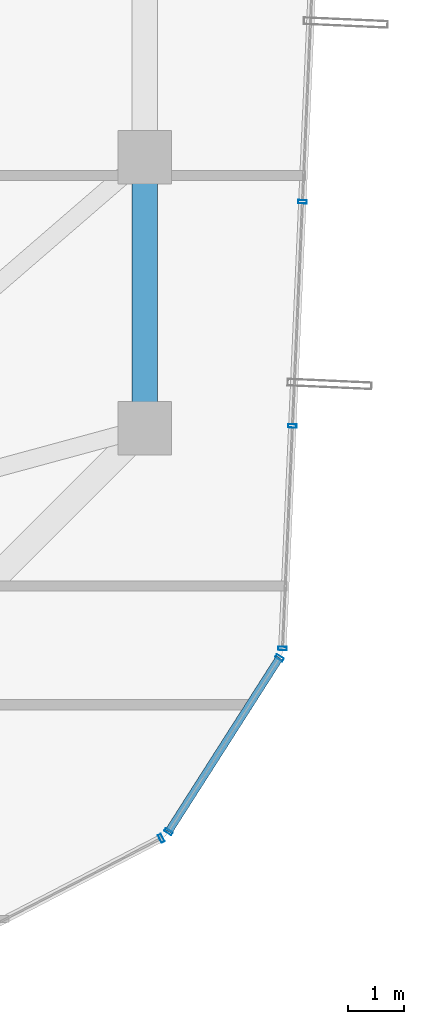
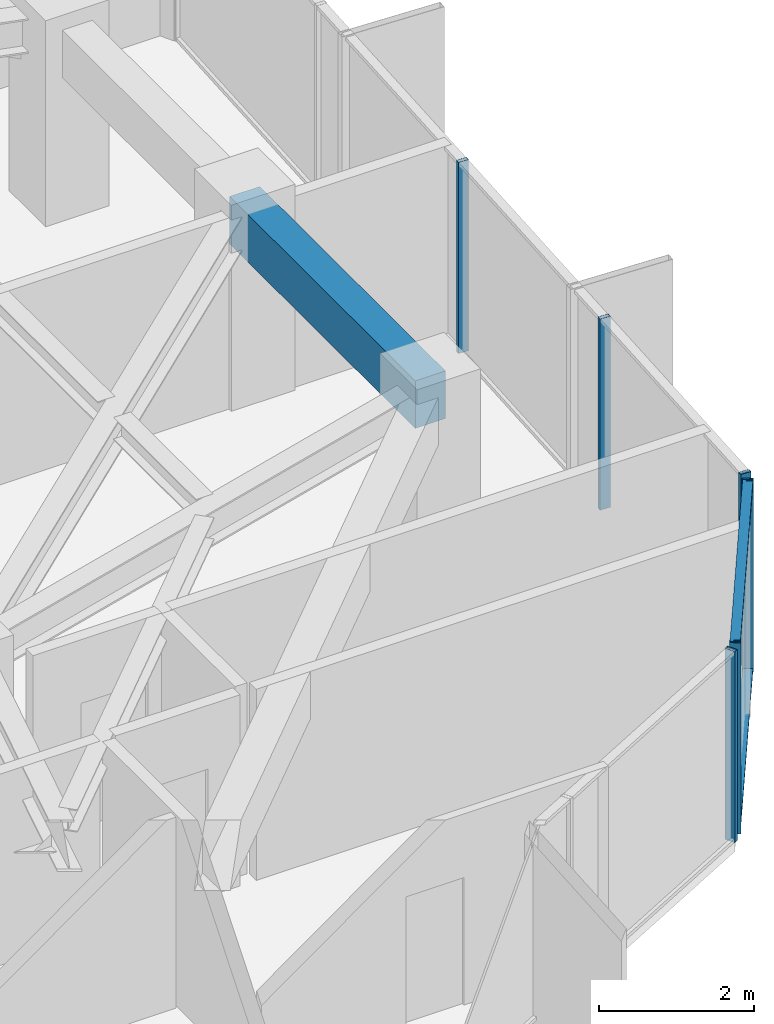
# One storey, part 15 of 29: 8 members, 1 beam, 3 elements without a shape of their own.
"""IFC4 building model written with IfcOpenShell, lengths in metres."""

import ifcopenshell
import ifcopenshell.guid

model = None  # the IFC model being written
_history = None  # IfcOwnerHistory: only IFC2X3 demands one
_inside = {}  # id of a spatial element -> (the spatial element, [elements in it])
_under = {}  # id of a project, library or spatial element -> (it, [spatial elements below it])
_declared = {}  # id of a project -> (the project, [libraries it declares])
_typed = {}  # id of a type object -> (the type object, [elements of that type])
_made_of = {}  # id of a material, layer set ... -> (it, [elements and type objects made of it])


def new_model(schema):
    """Start an empty IFC model of exactly this schema.

    Asked for "IFC4X3", IfcOpenShell would pick the latest addendum, in which some entities
    have other attributes; the version numbers below select the first issue.
    IFC2X3 requires an IfcOwnerHistory on every rooted entity: one is made here for all.
    """
    global model, _history
    if schema == "IFC4X3":
        model = ifcopenshell.file(schema_version=(4, 3, 0, 0))
    else:
        model = ifcopenshell.file(schema=schema)
    _inside.clear()
    _under.clear()
    _declared.clear()
    _typed.clear()
    _made_of.clear()
    _history = None
    if model.schema == "IFC2X3":
        org = make("IfcOrganization", Name="unknown")
        user = make(
            "IfcPersonAndOrganization",
            ThePerson=make("IfcPerson", FamilyName="unknown"),
            TheOrganization=org,
        )
        app = make(
            "IfcApplication",
            ApplicationDeveloper=org,
            Version="unknown",
            ApplicationFullName="unknown",
            ApplicationIdentifier="unknown",
        )
        _history = make(
            "IfcOwnerHistory",
            OwningUser=user,
            OwningApplication=app,
            ChangeAction="ADDED",
            CreationDate=0,
        )
    return model


def make(cls, **values):
    """One entity of the class cls with the attributes given. An attribute that is None is left unset."""
    return model.create_entity(
        cls, **{name: value for name, value in values.items() if value is not None}
    )


def rooted(cls, **values):
    """An entity with a GlobalId (a new one), such as an element, a storey or a relation."""
    return make(cls, GlobalId=ifcopenshell.guid.new(), OwnerHistory=_history, **values)


def si_unit(unit_type, name, prefix=None):
    """IfcSIUnit, for example si_unit("LENGTHUNIT", "METRE", prefix="MILLI")."""
    return make("IfcSIUnit", UnitType=unit_type, Prefix=prefix, Name=name)


def assignment(units):
    """IfcUnitAssignment: the units of a project."""
    return None if units is None else make("IfcUnitAssignment", Units=units)


def point(xyz):
    """IfcCartesianPoint."""
    return None if xyz is None else make("IfcCartesianPoint", Coordinates=xyz)


def direction(xyz):
    """IfcDirection."""
    return None if xyz is None else make("IfcDirection", DirectionRatios=xyz)


def frame(location, z_axis=None, x_axis=None):
    """IfcAxis2Placement3D, a coordinate frame: its origin and axes. An axis left out is left unset."""
    return make(
        "IfcAxis2Placement3D",
        Location=point(location),
        Axis=direction(z_axis),
        RefDirection=direction(x_axis),
    )


def frame_2d(location, x_axis=None):
    """IfcAxis2Placement2D, a coordinate frame in the plane: its origin and x axis."""
    return make(
        "IfcAxis2Placement2D", Location=point(location), RefDirection=direction(x_axis)
    )


def origin():
    """The frame at (0, 0, 0) with its axes left unset."""
    return frame((0.0, 0.0, 0.0))


def origin_2d():
    """The frame at (0, 0) in the plane with its x axis left unset."""
    return frame_2d((0.0, 0.0))


def place(relative_to, where):
    """IfcLocalPlacement: puts the frame where relative to a parent placement (None: the world)."""
    return make(
        "IfcLocalPlacement", PlacementRelTo=relative_to, RelativePlacement=where
    )


def context(
    kind, dimensions, precision=None, world=None, true_north=None, identifier=None
):
    """IfcGeometricRepresentationContext, for example the 3D "Model" context."""
    return make(
        "IfcGeometricRepresentationContext",
        ContextIdentifier=identifier,
        ContextType=kind,
        CoordinateSpaceDimension=dimensions,
        Precision=precision,
        WorldCoordinateSystem=world,
        TrueNorth=true_north,
    )


def subcontext(parent, identifier, kind, view, scale=None):
    """IfcGeometricRepresentationSubContext, for example "Body" below "Model"."""
    return make(
        "IfcGeometricRepresentationSubContext",
        ContextIdentifier=identifier,
        ContextType=kind,
        ParentContext=parent,
        TargetScale=scale,
        TargetView=view,
    )


def project(units=None, contexts=None):
    """IfcProject with its units and contexts."""
    return rooted(
        "IfcProject",
        Name="project",
        RepresentationContexts=contexts,
        UnitsInContext=assignment(units),
    )


def spatial(cls, under=None, at=None, **own):
    """A site, building, storey or space (cls), placed at a placement, below another one or the project."""
    s = rooted(cls, ObjectPlacement=at, **own)
    if under is not None:
        _under.setdefault(under.id(), (under, []))[1].append(s)
    return s


def profile(cls, at=None, kind="AREA", **sizes):
    """A parametric profile (cls). Its sizes go by their IFC names, for example OverallWidth=200.0."""
    return make(cls, ProfileType=kind, Position=at, **sizes)


def rectangle(**sizes):
    """IfcRectangleProfileDef."""
    return profile("IfcRectangleProfileDef", **sizes)


def hollow_rectangle(**sizes):
    """IfcRectangleHollowProfileDef."""
    return profile("IfcRectangleHollowProfileDef", **sizes)


def extrude(swept, where, along, depth):
    """IfcExtrudedAreaSolid: the profile swept, set in the frame where, extruded along a direction by depth."""
    return make(
        "IfcExtrudedAreaSolid",
        SweptArea=swept,
        Position=where,
        ExtrudedDirection=direction(along),
        Depth=depth,
    )


def shape(context_of_items, identifier, shape_type, items):
    """IfcShapeRepresentation: the items that make up one representation, for example the "Body"."""
    return make(
        "IfcShapeRepresentation",
        ContextOfItems=context_of_items,
        RepresentationIdentifier=identifier,
        RepresentationType=shape_type,
        Items=items,
    )


def source(mapping_origin, context_of_items, identifier, shape_type, items):
    """IfcRepresentationMap: a shape defined once, which mapped items show again and again."""
    return make(
        "IfcRepresentationMap",
        MappingOrigin=mapping_origin,
        MappedRepresentation=shape(context_of_items, identifier, shape_type, items),
    )


def transform(
    local_origin,
    x_axis=None,
    y_axis=None,
    z_axis=None,
    scale=None,
    scale2=None,
    scale3=None,
    uniform=True,
):
    """IfcCartesianTransformationOperator3D, or its non-uniform kind. x_axis, y_axis, z_axis: its Axis1, 2, 3."""
    if uniform:
        return make(
            "IfcCartesianTransformationOperator3D",
            Axis1=direction(x_axis),
            Axis2=direction(y_axis),
            LocalOrigin=point(local_origin),
            Scale=scale,
            Axis3=direction(z_axis),
        )
    return make(
        "IfcCartesianTransformationOperator3DnonUniform",
        Axis1=direction(x_axis),
        Axis2=direction(y_axis),
        LocalOrigin=point(local_origin),
        Scale=scale,
        Axis3=direction(z_axis),
        Scale2=scale2,
        Scale3=scale3,
    )


def mapped(mapping_source, mapping_target):
    """IfcMappedItem: shows the shape of a source again, moved by a transform."""
    return make(
        "IfcMappedItem", MappingSource=mapping_source, MappingTarget=mapping_target
    )


def material(Name=None, Category=None):
    """IfcMaterial."""
    return make("IfcMaterial", Name=Name, Category=Category)


def layer(
    of_material, thickness, ventilated=None, Name=None, Category=None, Priority=None
):
    """IfcMaterialLayer: one layer of a wall or slab, of a material (None: an air gap)."""
    return make(
        "IfcMaterialLayer",
        Material=of_material,
        LayerThickness=thickness,
        IsVentilated=ventilated,
        Name=Name,
        Category=Category,
        Priority=Priority,
    )


def layer_set(layers, Name=None):
    """IfcMaterialLayerSet."""
    return make("IfcMaterialLayerSet", MaterialLayers=layers, LayerSetName=Name)


def material_profile(
    of_material, cross_section, Name=None, Category=None, Priority=None
):
    """IfcMaterialProfile: a cross section and its material."""
    return make(
        "IfcMaterialProfile",
        Name=Name,
        Material=of_material,
        Profile=cross_section,
        Priority=Priority,
        Category=Category,
    )


def profile_set(profiles, Name=None, composite=None):
    """IfcMaterialProfileSet."""
    return make(
        "IfcMaterialProfileSet",
        Name=Name,
        MaterialProfiles=profiles,
        CompositeProfile=composite,
    )


def made_of(thing, what):
    """Note that an element or type object is made of a material, layer set ...; save() writes the relation."""
    if what is not None:
        _made_of.setdefault(what.id(), (what, []))[1].append(thing)
    return thing


def type_object(cls, material=None, **own):
    """A type object (cls), such as IfcWallType, which elements share."""
    return made_of(rooted(cls, **own), material)


def element(
    cls,
    number,
    at=None,
    inside=None,
    cuts=None,
    type_object=None,
    material=None,
    context=None,
    identifier="Body",
    shape_type=None,
    held_by="IfcProductDefinitionShape",
    body=None,
    shapes=None,
    **own,
):
    """One element of the class cls, such as IfcWall. Its Tag is "e" and its number.

    at: its placement. inside: the storey or other place that contains it. cuts: it is an
    opening in that element (IfcRelVoidsElement). A single representation is given by context,
    identifier, shape_type and body (its items); several are given by shapes. held_by: the class
    of the entity that holds the representations. save() writes the other relations.
    """
    e = rooted(cls, Tag="e%d" % number, ObjectPlacement=at, **own)
    if body is not None:
        shapes = [shape(context, identifier, shape_type, body)]
    if shapes is not None:
        e.Representation = make(held_by, Representations=shapes)
    if inside is not None:
        _inside.setdefault(inside.id(), (inside, []))[1].append(e)
    if cuts is not None:
        rooted(
            "IfcRelVoidsElement", RelatingBuildingElement=cuts, RelatedOpeningElement=e
        )
    if type_object is not None:
        _typed.setdefault(type_object.id(), (type_object, []))[1].append(e)
    return made_of(e, material)


def aggregate(whole, parts):
    """IfcRelAggregates: a whole, such as a stair, and the parts it consists of."""
    return rooted("IfcRelAggregates", RelatingObject=whole, RelatedObjects=parts)


def save(model, path):
    """Write the relations noted so far, then the file.

    IfcRelAggregates (storeys below a building ...), IfcRelContainedInSpatialStructure (elements
    in a storey), IfcRelDefinesByType, IfcRelAssociatesMaterial and IfcRelDeclares: one each for
    every whole, place, type object, material and project.
    """
    for whole, parts in _under.values():
        aggregate(whole, parts)
    for where, things in _inside.values():
        rooted(
            "IfcRelContainedInSpatialStructure",
            RelatedElements=things,
            RelatingStructure=where,
        )
    for kind, things in _typed.values():
        rooted("IfcRelDefinesByType", RelatedObjects=things, RelatingType=kind)
    for what, things in _made_of.values():
        rooted("IfcRelAssociatesMaterial", RelatedObjects=things, RelatingMaterial=what)
    for by, libraries in _declared.values():
        rooted("IfcRelDeclares", RelatingContext=by, RelatedDefinitions=libraries)
    model.write(path)


model = new_model("IFC4")

# Units and contexts
model_context = context("Model", 3, precision=1e-05, world=origin(), true_north=direction((0.0, 1.0)))
body_context = subcontext(model_context, "Body", "Model", "MODEL_VIEW")
ifc_project = project(units=[si_unit("LENGTHUNIT", "METRE"), si_unit("AREAUNIT", "SQUARE_METRE"), si_unit("VOLUMEUNIT", "CUBIC_METRE"), si_unit("PLANEANGLEUNIT", "RADIAN"), si_unit("MASSUNIT", "GRAM", prefix="KILO")], contexts=[model_context])

# Site, building, storey
site_placement = place(None, origin())
site = spatial("IfcSite", under=ifc_project, at=site_placement, CompositionType="ELEMENT")
building_placement = place(site_placement, origin())
building = spatial("IfcBuilding", under=site, at=building_placement, Name="Veraguas Prism Commons", CompositionType="ELEMENT")
storey_placement = place(building_placement, frame((0.0, 0.0, 215.64990234375)))
storey = spatial("IfcBuildingStorey", under=building, at=storey_placement, Name="L61", CompositionType="ELEMENT", Elevation=215.64990234375)

# Beam
ifc_material_1 = material(Name="Concrete C50/60", Category="concrete")
ifc_material_profile_1 = material_profile(ifc_material_1, rectangle(XDim=0.449951171875, YDim=0.75, at=origin_2d()), Name="RC450X750")
ifc_profile_set_1 = profile_set([ifc_material_profile_1], Name="Concrete C50/60")
beam_type = type_object("IfcBeamType", Name="Perimeter Spandrel Upper RC 450x750", PredefinedType="SPANDREL", material=ifc_profile_set_1)
beam_placement = place(storey_placement, frame((38.89990234375, 19.199951171875, 2.64013671875), z_axis=(0.0, 1.0, 0.0), x_axis=(-1.0, 0.0, 0.0)))
element("IfcBeam", 1, at=beam_placement, inside=storey, type_object=beam_type, Name="Perimeter Spandrel Beam L61-SP01", PredefinedType="SPANDREL", context=body_context, shape_type="SweptSolid", body=[
    extrude(rectangle(XDim=0.449951171875, YDim=0.75, at=origin_2d()), origin(), (0.0, 0.0, 1.0), 4.800048828125),
])

# Curtain wall, members
ifc_material_2 = material(Name="Anodised aluminium EN AW-6063 T6", Category="aluminium")
ifc_layer = layer(ifc_material_2, 0.14990234375, Name="Unitised Flush Curtain Wall Zone 3", Category="aluminium")
ifc_layer_set = layer_set([ifc_layer], Name="Anodised aluminium EN AW-6063 T6")
curtain_wall_type = type_object("IfcCurtainWallType", Name="Unitised Flush Curtain Wall Zone 3", PredefinedType="NOTDEFINED", material=ifc_layer_set)
curtain_wall_1_placement = place(storey_placement, origin())
curtain_wall_1 = element("IfcCurtainWall", 2, at=curtain_wall_1_placement, inside=storey, type_object=curtain_wall_type, Name="Chamfer Curtain Wall L61-C6", PredefinedType="NOTDEFINED")
ifc_material_profile_2 = material_profile(ifc_material_2, hollow_rectangle(XDim=0.054931640625, YDim=0.135009765625, WallThickness=0.0029296875, at=origin_2d()), Name="AL55X135X3")
ifc_profile_set_2 = profile_set([ifc_material_profile_2], Name="Anodised aluminium EN AW-6063 T6")
member_type_1 = type_object("IfcMemberType", Name="Curtain Wall Transom Standard AL 55x135x3", PredefinedType="USERDEFINED", material=ifc_profile_set_2)
shared_shape_1 = source(origin(), body_context, "Body", "SweptSolid", [
    extrude(hollow_rectangle(XDim=0.054931640625, YDim=0.135009765625, WallThickness=0.0029296875, at=origin_2d()), origin(), (0.0, 0.0, 1.0), 3.654296875),
])
member_1_placement = place(storey_placement, frame((39.319580078125, 12.0498046875, 0.027587890625), z_axis=(0.538141495416, 0.842854513491, 0.0), x_axis=(0.0, 0.0, 1.0)))
member_1 = element("IfcMember", 3, at=member_1_placement, type_object=member_type_1, Name="CW-Z3 Transom 1", ObjectType="TRANSOM", PredefinedType="USERDEFINED", context=body_context, shape_type="MappedRepresentation", body=[
    mapped(shared_shape_1, transform((0.0, 0.0, 0.0), scale=1.0)),
])
member_2_placement = place(storey_placement, frame((39.319580078125, 12.0498046875, 2.987548828125), z_axis=(0.538141495416, 0.842854513491, 0.0), x_axis=(0.0, 0.0, 1.0)))
member_2 = element("IfcMember", 4, at=member_2_placement, type_object=member_type_1, Name="CW-Z3 Transom 2", ObjectType="TRANSOM", PredefinedType="USERDEFINED", context=body_context, shape_type="MappedRepresentation", body=[
    mapped(shared_shape_1, transform((0.0, 0.0, 0.0), scale=1.0)),
])

# Curtain wall, member
curtain_wall_2_placement = place(storey_placement, origin())
curtain_wall_2 = element("IfcCurtainWall", 5, at=curtain_wall_2_placement, inside=storey, type_object=curtain_wall_type, Name="Tower Facade Curtain Wall L61-F5", PredefinedType="NOTDEFINED")
ifc_material_profile_3 = material_profile(ifc_material_2, hollow_rectangle(XDim=0.06005859375, YDim=0.14990234375, WallThickness=0.0029296875, at=origin_2d()), Name="AL60X150X3")
ifc_profile_set_3 = profile_set([ifc_material_profile_3], Name="Anodised aluminium EN AW-6063 T6")
member_type_2 = type_object("IfcMemberType", Name="Curtain Wall Mullion Upper AL 60x150x3", PredefinedType="MULLION", material=ifc_profile_set_3)
shared_shape_2 = source(origin(), body_context, "Body", "SweptSolid", [
    extrude(hollow_rectangle(XDim=0.06005859375, YDim=0.14990234375, WallThickness=0.0029296875, at=origin_2d()), origin(), (0.0, 0.0, 1.0), 3.01513671875),
])
member_3_placement = place(storey_placement, frame((39.191162109375, 11.9326171875, 0.0), z_axis=(0.0, 0.0, 1.0), x_axis=(0.887493888749, 0.46081948465, 0.0)))
member_3 = element("IfcMember", 6, at=member_3_placement, type_object=member_type_2, Name="CW-Z3 Mullion 5", PredefinedType="MULLION", context=body_context, shape_type="MappedRepresentation", body=[
    mapped(shared_shape_2, transform((0.0, 0.0, 0.0), scale=1.0)),
])
aggregate(curtain_wall_2, [member_3])

# Curtain wall, members
curtain_wall_3_placement = place(storey_placement, origin())
curtain_wall_3 = element("IfcCurtainWall", 7, at=curtain_wall_3_placement, inside=storey, type_object=curtain_wall_type, Name="Tower Facade Curtain Wall L61-F6", PredefinedType="NOTDEFINED")
member_4_placement = place(storey_placement, frame((41.338623046875, 15.295654296875, 0.0), z_axis=(0.0, 0.0, 1.0), x_axis=(0.044665564108, 0.999001995685, 0.0)))
member_4 = element("IfcMember", 8, at=member_4_placement, type_object=member_type_2, Name="CW-Z3 Mullion 1", PredefinedType="MULLION", context=body_context, shape_type="MappedRepresentation", body=[
    mapped(shared_shape_2, transform((0.0, 0.0, 0.0), scale=1.0)),
])
member_5_placement = place(storey_placement, frame((41.514892578125, 19.2373046875, 0.0), z_axis=(0.0, 0.0, 1.0), x_axis=(0.044665564108, 0.999001995685, 0.0)))
member_5 = element("IfcMember", 9, at=member_5_placement, type_object=member_type_2, Name="CW-Z3 Mullion 2", PredefinedType="MULLION", context=body_context, shape_type="MappedRepresentation", body=[
    mapped(shared_shape_2, transform((0.0, 0.0, 0.0), scale=1.0)),
])
member_6_placement = place(storey_placement, frame((41.692626953125, 23.208984375, 0.0), z_axis=(0.0, 0.0, 1.0), x_axis=(0.044665564108, 0.999001995685, 0.0)))
member_6 = element("IfcMember", 10, at=member_6_placement, type_object=member_type_2, Name="CW-Z3 Mullion 3", PredefinedType="MULLION", context=body_context, shape_type="MappedRepresentation", body=[
    mapped(shared_shape_2, transform((0.0, 0.0, 0.0), scale=1.0)),
])
aggregate(curtain_wall_3, [member_4, member_5, member_6])

# Member
member_7_placement = place(storey_placement, frame((39.319580078125, 12.0498046875, 0.0), z_axis=(0.0, 0.0, 1.0), x_axis=(0.538189866079, 0.84282362808, 0.0)))
member_7 = element("IfcMember", 11, at=member_7_placement, type_object=member_type_2, Name="CW-Z3 Mullion 1", PredefinedType="MULLION", context=body_context, shape_type="MappedRepresentation", body=[
    mapped(shared_shape_2, transform((0.0, 0.0, 0.0), scale=1.0)),
])

member_8_placement = place(storey_placement, frame((41.2861328125, 15.1298828125, 0.0), z_axis=(0.0, 0.0, 1.0), x_axis=(0.538189866079, 0.84282362808, 0.0)))
member_8 = element("IfcMember", 12, at=member_8_placement, type_object=member_type_2, Name="CW-Z3 Mullion 2", PredefinedType="MULLION", context=body_context, shape_type="MappedRepresentation", body=[
    mapped(shared_shape_2, transform((0.0, 0.0, 0.0), scale=1.0)),
])

aggregate(curtain_wall_1, [member_7, member_8, member_1, member_2])

save(model, "model.ifc")
